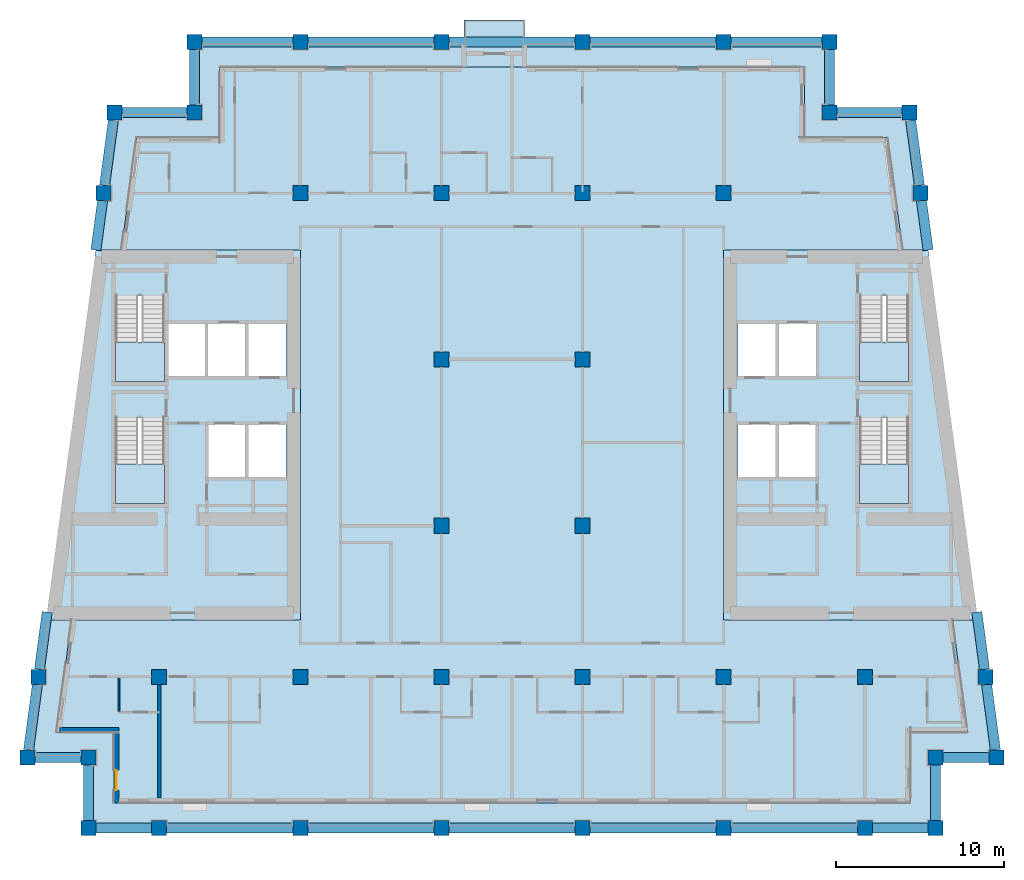
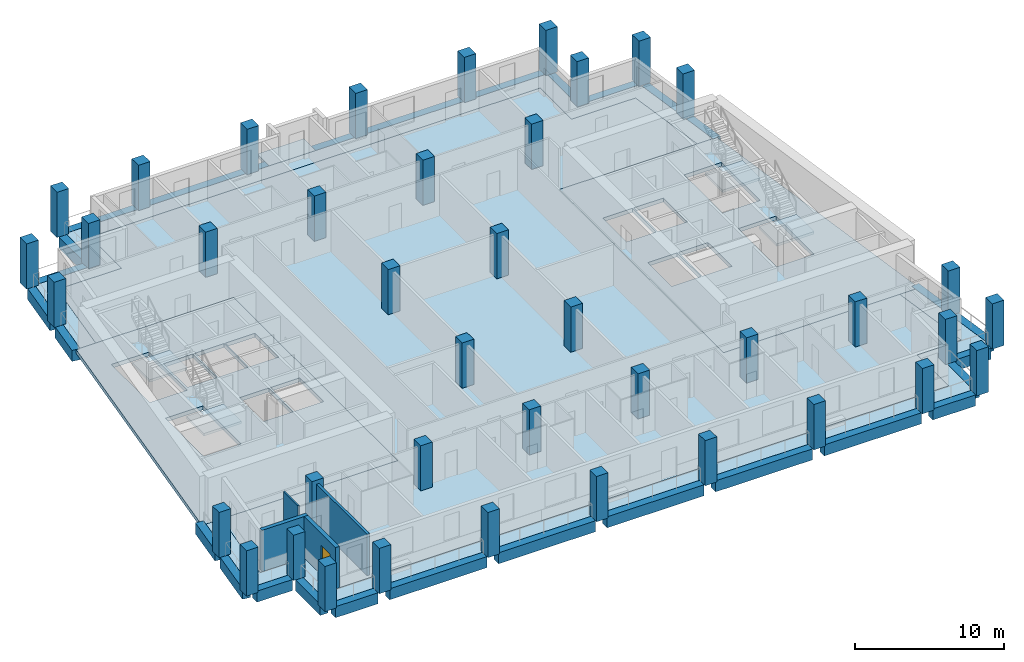
# One storey, part 1 of 12: 40 columns, 28 beams, 10 slabs, 4 walls, 1 door, 1 opening, 4 elements without a shape of their own.
"""IFC4 building model written with IfcOpenShell, lengths in metres."""

from ifc_helpers import new_model, si_unit, direction, frame, frame_2d, origin, origin_2d, place, context, subcontext, project, spatial, polyline, rectangle, outline, extrude, material, layer, layer_set, material_profile, profile_set, type_object, element, fill, aggregate, save


model = new_model("IFC4")

# Units and contexts
model_context = context("Model", 3, precision=1e-05, world=origin(), true_north=direction((0.0, 1.0)))
body_context = subcontext(model_context, "Body", "Model", "MODEL_VIEW")
ifc_project = project(units=[si_unit("LENGTHUNIT", "METRE"), si_unit("AREAUNIT", "SQUARE_METRE"), si_unit("VOLUMEUNIT", "CUBIC_METRE"), si_unit("PLANEANGLEUNIT", "RADIAN"), si_unit("MASSUNIT", "GRAM", prefix="KILO")], contexts=[model_context])

# Site, building, storey
site_placement = place(None, origin())
site = spatial("IfcSite", under=ifc_project, at=site_placement, CompositionType="ELEMENT")
building_placement = place(site_placement, origin())
building = spatial("IfcBuilding", under=site, at=building_placement, Name="Candeia Pilgrim Tower and Theatre", CompositionType="ELEMENT")
storey_placement = place(building_placement, frame((0.0, 0.0, 209.60009765625)))
storey = spatial("IfcBuildingStorey", under=building, at=storey_placement, Name="L50", CompositionType="ELEMENT", Elevation=209.60009765625)

# Columns
ifc_material_1 = material(Name="Concrete C50/60", Category="concrete")
ifc_material_profile_1 = material_profile(ifc_material_1, rectangle(XDim=0.89990234375, YDim=0.89990234375, at=origin_2d()))
ifc_profile_set_1 = profile_set([ifc_material_profile_1], Name="Concrete C50/60")
column_type = type_object("IfcColumnType", Name="RC 900x900 C50/60", PredefinedType="COLUMN", material=ifc_profile_set_1)
for number, where, z_axis, x_axis, name in (
    (1, (92.39990234375, 98.0, 0.0), (0.0, 0.0, 1.0), (1.0, 0.0, 0.0), "Column A1"),
    (2, (100.800048828125, 98.0, 0.0), (0.0, 0.0, 1.0), (1.0, 0.0, 0.0), "Column A2"),
    (3, (109.199951171875, 98.0, 0.0), (0.0, 0.0, 1.0), (1.0, 0.0, 0.0), "Column A3"),
    (4, (117.60009765625, 98.0, 0.0), (0.0, 0.0, 1.0), (1.0, 0.0, 0.0), "Column A4"),
    (5, (126.0, 98.0, 0.0), (0.0, 0.0, 1.0), (1.0, 0.0, 0.0), "Column A5"),
    (6, (134.39990234375, 98.0, 0.0), (0.0, 0.0, 1.0), (1.0, 0.0, 0.0), "Column A6"),
    (7, (88.199951171875, 98.0, 0.0), (0.0, 0.0, 1.0), (1.0, 0.0, 0.0), "Column AW"),
    (8, (138.60009765625, 98.0, 0.0), (0.0, 0.0, 1.0), (1.0, 0.0, 0.0), "Column AE"),
    (9, (88.199951171875, 102.199951171875, 0.0), (0.0, 0.0, 1.0), (1.0, 0.0, 0.0), "Column NSW"),
    (10, (138.60009765625, 102.199951171875, 0.0), (0.0, 0.0, 1.0), (1.0, 0.0, 0.0), "Column NSE"),
    (11, (94.5, 140.60009765625, 0.0), (0.0, 0.0, 1.0), (1.0, 0.0, 0.0), "Column NNW"),
    (12, (132.300048828125, 140.60009765625, 0.0), (0.0, 0.0, 1.0), (1.0, 0.0, 0.0), "Column NNE"),
    (13, (84.5654296875, 102.199951171875, 0.0), (0.0, 0.0, 1.0), (1.0, 0.0, 0.0), "Column LSW"),
    (14, (142.234619140625, 102.199951171875, 0.0), (0.0, 0.0, 1.0), (1.0, 0.0, 0.0), "Column LSE"),
    (15, (89.734619140625, 140.60009765625, 0.0), (0.0, 0.0, 1.0), (1.0, 0.0, 0.0), "Column LNW"),
    (16, (137.0654296875, 140.60009765625, 0.0), (0.0, 0.0, 1.0), (1.0, 0.0, 0.0), "Column LNE"),
    (17, (92.39990234375, 107.0, 0.0), (0.0, 0.0, 1.0), (1.0, 0.0, 0.0), "Column B1"),
    (18, (100.800048828125, 107.0, 0.0), (0.0, 0.0, 1.0), (1.0, 0.0, 0.0), "Column B2"),
    (19, (109.199951171875, 107.0, 0.0), (0.0, 0.0, 1.0), (1.0, 0.0, 0.0), "Column B3"),
    (20, (117.60009765625, 107.0, 0.0), (0.0, 0.0, 1.0), (1.0, 0.0, 0.0), "Column B4"),
    (21, (126.0, 107.0, 0.0), (0.0, 0.0, 1.0), (1.0, 0.0, 0.0), "Column B5"),
    (22, (134.39990234375, 107.0, 0.0), (0.0, 0.0, 1.0), (1.0, 0.0, 0.0), "Column B6"),
    (23, (85.21142578125, 107.0, 0.0), (0.0, 0.0, 1.0), (1.0, 0.0, 0.0), "Column BW"),
    (24, (141.58837890625, 107.0, 0.0), (0.0, 0.0, 1.0), (1.0, 0.0, 0.0), "Column BE"),
    (25, (109.199951171875, 116.0, 0.0), (0.0, 0.0, 1.0), (1.0, 0.0, 0.0), "Column C3"),
    (26, (117.60009765625, 116.0, 0.0), (0.0, 0.0, 1.0), (1.0, 0.0, 0.0), "Column C4"),
    (27, (109.199951171875, 125.89990234375, 0.0), (0.0, 0.0, 1.0), (1.0, 0.0, 0.0), "Column D3"),
    (28, (117.60009765625, 125.89990234375, 0.0), (0.0, 0.0, 1.0), (1.0, 0.0, 0.0), "Column D4"),
    (29, (100.800048828125, 135.800048828125, 0.0), (0.0, 0.0, 1.0), (1.0, 0.0, 0.0), "Column E2"),
    (30, (109.199951171875, 135.800048828125, 0.0), (0.0, 0.0, 1.0), (1.0, 0.0, 0.0), "Column E3"),
    (31, (117.60009765625, 135.800048828125, 0.0), (0.0, 0.0, 1.0), (1.0, 0.0, 0.0), "Column E4"),
    (32, (126.0, 135.800048828125, 0.0), (0.0, 0.0, 1.0), (1.0, 0.0, 0.0), "Column E5"),
    (33, (89.08837890625, 135.800048828125, 0.0), (0.0, 0.0, 1.0), (1.0, 0.0, 0.0), "Column EW"),
    (34, (137.71142578125, 135.800048828125, 0.0), (0.0, 0.0, 1.0), (1.0, 0.0, 0.0), "Column EE"),
    (35, (100.800048828125, 144.800048828125, 0.0), (0.0, 0.0, 1.0), (1.0, 0.0, 0.0), "Column F2"),
    (36, (109.199951171875, 144.800048828125, 0.0), (0.0, 0.0, 1.0), (1.0, 0.0, 0.0), "Column F3"),
    (37, (117.60009765625, 144.800048828125, 0.0), (0.0, 0.0, 1.0), (1.0, 0.0, 0.0), "Column F4"),
    (38, (126.0, 144.800048828125, 0.0), (0.0, 0.0, 1.0), (1.0, 0.0, 0.0), "Column F5"),
    (39, (94.5, 144.800048828125, 0.0), (0.0, 0.0, 1.0), (1.0, 0.0, 0.0), "Column FW"),
    (40, (132.300048828125, 144.800048828125, 0.0), (0.0, 0.0, 1.0), (1.0, 0.0, 0.0), "Column FE"),
):
    element("IfcColumn", number, at=place(storey_placement, frame(where, z_axis=z_axis, x_axis=x_axis)), inside=storey, type_object=column_type, Name=name, PredefinedType="COLUMN", context=body_context, shape_type="SweptSolid", body=[
        extrude(rectangle(XDim=0.89990234375, YDim=0.89990234375, at=origin_2d()), origin(), (0.0, 0.0, 1.0), 3.699951171875),
    ])

# Beams
ifc_material_profile_2 = material_profile(ifc_material_1, rectangle(XDim=0.60009765625, YDim=0.89990234375, at=origin_2d()))
ifc_profile_set_2 = profile_set([ifc_material_profile_2], Name="Concrete C50/60")
beam_type = type_object("IfcBeamType", Name="RC 600x900 C50/60", PredefinedType="BEAM", material=ifc_profile_set_2)
beam_1_placement = place(storey_placement, frame((88.64990234375, 98.0, -0.4501953125), z_axis=(1.0, 0.0, 0.0), x_axis=(0.0, 1.0, 0.0)))
element("IfcBeam", 41, at=beam_1_placement, inside=storey, type_object=beam_type, Name="Spandrel beam L50-01", PredefinedType="BEAM", context=body_context, shape_type="SweptSolid", body=[
    extrude(rectangle(XDim=0.60009765625, YDim=0.89990234375, at=origin_2d()), origin(), (0.0, 0.0, 1.0), 3.300048828125),
])
for number, where, z_axis, x_axis, name in (
    (42, (92.85009765625, 98.0, -0.4501953125), (1.0, 0.0, 0.0), (0.0, 1.0, 0.0), "Spandrel beam L50-02"),
    (43, (101.25, 98.0, -0.4501953125), (1.0, 0.0, 0.0), (0.0, 1.0, 0.0), "Spandrel beam L50-03"),
    (44, (109.64990234375, 98.0, -0.4501953125), (1.0, 0.0, 0.0), (0.0, 1.0, 0.0), "Spandrel beam L50-04"),
    (45, (118.050048828125, 98.0, -0.4501953125), (1.0, 0.0, 0.0), (0.0, 1.0, 0.0), "Spandrel beam L50-05"),
    (46, (126.449951171875, 98.0, -0.4501953125), (1.0, 0.0, 0.0), (0.0, 1.0, 0.0), "Spandrel beam L50-06"),
):
    element("IfcBeam", number, at=place(storey_placement, frame(where, z_axis=z_axis, x_axis=x_axis)), inside=storey, type_object=beam_type, Name=name, PredefinedType="BEAM", context=body_context, shape_type="SweptSolid", body=[
        extrude(rectangle(XDim=0.60009765625, YDim=0.89990234375, at=origin_2d()), origin(), (0.0, 0.0, 1.0), 7.5),
    ])
beam_2_placement = place(storey_placement, frame((134.85009765625, 98.0, -0.4501953125), z_axis=(1.0, 0.0, 0.0), x_axis=(0.0, 1.0, 0.0)))
element("IfcBeam", 47, at=beam_2_placement, inside=storey, type_object=beam_type, Name="Spandrel beam L50-07", PredefinedType="BEAM", context=body_context, shape_type="SweptSolid", body=[
    extrude(rectangle(XDim=0.60009765625, YDim=0.89990234375, at=origin_2d()), origin(), (0.0, 0.0, 1.0), 3.2998046875),
])
beam_3_placement = place(storey_placement, frame((138.60009765625, 98.449951171875, -0.4501953125), z_axis=(0.0, 1.0, 0.0), x_axis=(-1.0, 0.0, 0.0)))
element("IfcBeam", 48, at=beam_3_placement, inside=storey, type_object=beam_type, Name="Spandrel beam L50-08", PredefinedType="BEAM", context=body_context, shape_type="SweptSolid", body=[
    extrude(rectangle(XDim=0.60009765625, YDim=0.89990234375, at=origin_2d()), origin(), (0.0, 0.0, 1.0), 3.300048828125),
])
beam_4_placement = place(storey_placement, frame((139.050048828125, 102.199951171875, -0.4501953125), z_axis=(1.0, 0.0, 0.0), x_axis=(0.0, 1.0, 0.0)))
element("IfcBeam", 49, at=beam_4_placement, inside=storey, type_object=beam_type, Name="Spandrel beam L50-09", PredefinedType="BEAM", context=body_context, shape_type="SweptSolid", body=[
    extrude(rectangle(XDim=0.60009765625, YDim=0.89990234375, at=origin_2d()), origin(), (0.0, 0.0, 1.0), 2.734619140625),
])
beam_5_placement = place(storey_placement, frame((142.174072265625, 102.64990234375, -0.4501953125), z_axis=(-0.133443650757, 0.991056402064, 0.0), x_axis=(-0.991056402064, -0.133443650757, 0.0)))
element("IfcBeam", 50, at=beam_5_placement, inside=storey, type_object=beam_type, Name="Spandrel beam L50-10", PredefinedType="BEAM", context=body_context, shape_type="SweptSolid", body=[
    extrude(rectangle(XDim=0.60009765625, YDim=0.89990234375, at=origin_2d()), origin(), (0.0, 0.0, 1.0), 3.935302734375),
])
beam_6_placement = place(storey_placement, frame((141.52783203125, 107.449951171875, -0.4501953125), z_axis=(-0.133374411439, 0.99106572253, 0.0), x_axis=(-0.99106572253, -0.133374411439, 0.0)))
element("IfcBeam", 51, at=beam_6_placement, inside=storey, type_object=beam_type, Name="Spandrel beam L50-11", PredefinedType="BEAM", context=body_context, shape_type="SweptSolid", body=[
    extrude(rectangle(XDim=0.60009765625, YDim=0.89990234375, at=origin_2d()), origin(), (0.0, 0.0, 1.0), 3.43408203125),
])
beam_7_placement = place(storey_placement, frame((138.169189453125, 132.39990234375, -0.4501953125), z_axis=(-0.133356242983, 0.991068167412, 0.0), x_axis=(-0.991068167412, -0.133356242983, 0.0)))
element("IfcBeam", 52, at=beam_7_placement, inside=storey, type_object=beam_type, Name="Spandrel beam L50-12", PredefinedType="BEAM", context=body_context, shape_type="SweptSolid", body=[
    extrude(rectangle(XDim=0.60009765625, YDim=0.89990234375, at=origin_2d()), origin(), (0.0, 0.0, 1.0), 2.976806640625),
])
beam_8_placement = place(storey_placement, frame((137.65087890625, 136.25, -0.4501953125), z_axis=(-0.133390918184, 0.991063500965, 0.0), x_axis=(-0.991063500965, -0.133390918184, 0.0)))
element("IfcBeam", 53, at=beam_8_placement, inside=storey, type_object=beam_type, Name="Spandrel beam L50-13", PredefinedType="BEAM", context=body_context, shape_type="SweptSolid", body=[
    extrude(rectangle(XDim=0.60009765625, YDim=0.89990234375, at=origin_2d()), origin(), (0.0, 0.0, 1.0), 3.93505859375),
])
beam_9_placement = place(storey_placement, frame((136.615478515625, 140.60009765625, -0.4501953125), z_axis=(-1.0, 0.0, 0.0), x_axis=(0.0, -1.0, 0.0)))
element("IfcBeam", 54, at=beam_9_placement, inside=storey, type_object=beam_type, Name="Spandrel beam L50-14", PredefinedType="BEAM", context=body_context, shape_type="SweptSolid", body=[
    extrude(rectangle(XDim=0.60009765625, YDim=0.89990234375, at=origin_2d()), origin(), (0.0, 0.0, 1.0), 3.865478515625),
])
beam_10_placement = place(storey_placement, frame((132.300048828125, 141.050048828125, -0.4501953125), z_axis=(0.0, 1.0, 0.0), x_axis=(-1.0, 0.0, 0.0)))
element("IfcBeam", 55, at=beam_10_placement, inside=storey, type_object=beam_type, Name="Spandrel beam L50-15", PredefinedType="BEAM", context=body_context, shape_type="SweptSolid", body=[
    extrude(rectangle(XDim=0.60009765625, YDim=0.89990234375, at=origin_2d()), origin(), (0.0, 0.0, 1.0), 3.300048828125),
])
beam_11_placement = place(storey_placement, frame((131.85009765625, 144.800048828125, -0.4501953125), z_axis=(-1.0, 0.0, 0.0), x_axis=(0.0, -1.0, 0.0)))
element("IfcBeam", 56, at=beam_11_placement, inside=storey, type_object=beam_type, Name="Spandrel beam L50-16", PredefinedType="BEAM", context=body_context, shape_type="SweptSolid", body=[
    extrude(rectangle(XDim=0.60009765625, YDim=0.89990234375, at=origin_2d()), origin(), (0.0, 0.0, 1.0), 5.400146484375),
])
for number, where, z_axis, x_axis, name in (
    (57, (125.550048828125, 144.800048828125, -0.4501953125), (-1.0, 0.0, 0.0), (0.0, -1.0, 0.0), "Spandrel beam L50-17"),
    (58, (117.14990234375, 144.800048828125, -0.4501953125), (-1.0, 0.0, 0.0), (0.0, -1.0, 0.0), "Spandrel beam L50-18"),
    (59, (108.75, 144.800048828125, -0.4501953125), (-1.0, 0.0, 0.0), (0.0, -1.0, 0.0), "Spandrel beam L50-19"),
):
    element("IfcBeam", number, at=place(storey_placement, frame(where, z_axis=z_axis, x_axis=x_axis)), inside=storey, type_object=beam_type, Name=name, PredefinedType="BEAM", context=body_context, shape_type="SweptSolid", body=[
        extrude(rectangle(XDim=0.60009765625, YDim=0.89990234375, at=origin_2d()), origin(), (0.0, 0.0, 1.0), 7.5),
    ])
beam_12_placement = place(storey_placement, frame((100.35009765625, 144.800048828125, -0.4501953125), z_axis=(-1.0, 0.0, 0.0), x_axis=(0.0, -1.0, 0.0)))
element("IfcBeam", 60, at=beam_12_placement, inside=storey, type_object=beam_type, Name="Spandrel beam L50-20", PredefinedType="BEAM", context=body_context, shape_type="SweptSolid", body=[
    extrude(rectangle(XDim=0.60009765625, YDim=0.89990234375, at=origin_2d()), origin(), (0.0, 0.0, 1.0), 5.400146484375),
])
beam_13_placement = place(storey_placement, frame((94.5, 144.35009765625, -0.4501953125), z_axis=(0.0, -1.0, 0.0), x_axis=(1.0, 0.0, 0.0)))
element("IfcBeam", 61, at=beam_13_placement, inside=storey, type_object=beam_type, Name="Spandrel beam L50-21", PredefinedType="BEAM", context=body_context, shape_type="SweptSolid", body=[
    extrude(rectangle(XDim=0.60009765625, YDim=0.89990234375, at=origin_2d()), origin(), (0.0, 0.0, 1.0), 3.300048828125),
])
beam_14_placement = place(storey_placement, frame((94.050048828125, 140.60009765625, -0.4501953125), z_axis=(-1.0, 0.0, 0.0), x_axis=(0.0, -1.0, 0.0)))
element("IfcBeam", 62, at=beam_14_placement, inside=storey, type_object=beam_type, Name="Spandrel beam L50-22", PredefinedType="BEAM", context=body_context, shape_type="SweptSolid", body=[
    extrude(rectangle(XDim=0.60009765625, YDim=0.89990234375, at=origin_2d()), origin(), (0.0, 0.0, 1.0), 3.865478515625),
])
beam_15_placement = place(storey_placement, frame((89.674072265625, 140.14990234375, -0.4501953125), z_axis=(-0.133451855788, -0.99105529724, 0.0), x_axis=(0.99105529724, -0.133451855788, 0.0)))
element("IfcBeam", 63, at=beam_15_placement, inside=storey, type_object=beam_type, Name="Spandrel beam L50-23", PredefinedType="BEAM", context=body_context, shape_type="SweptSolid", body=[
    extrude(rectangle(XDim=0.60009765625, YDim=0.89990234375, at=origin_2d()), origin(), (0.0, 0.0, 1.0), 3.93505859375),
])
beam_16_placement = place(storey_placement, frame((89.02783203125, 135.35009765625, -0.4501953125), z_axis=(-0.133356242983, -0.991068167412, 0.0), x_axis=(0.991068167412, -0.133356242983, 0.0)))
element("IfcBeam", 64, at=beam_16_placement, inside=storey, type_object=beam_type, Name="Spandrel beam L50-24", PredefinedType="BEAM", context=body_context, shape_type="SweptSolid", body=[
    extrude(rectangle(XDim=0.60009765625, YDim=0.89990234375, at=origin_2d()), origin(), (0.0, 0.0, 1.0), 2.976806640625),
])
beam_17_placement = place(storey_placement, frame((85.730224609375, 110.853271484375, -0.4501953125), z_axis=(-0.133374411439, -0.99106572253, 0.0), x_axis=(0.99106572253, -0.133374411439, 0.0)))
element("IfcBeam", 65, at=beam_17_placement, inside=storey, type_object=beam_type, Name="Spandrel beam L50-25", PredefinedType="BEAM", context=body_context, shape_type="SweptSolid", body=[
    extrude(rectangle(XDim=0.60009765625, YDim=0.89990234375, at=origin_2d()), origin(), (0.0, 0.0, 1.0), 3.43408203125),
])
beam_18_placement = place(storey_placement, frame((85.15087890625, 106.550048828125, -0.4501953125), z_axis=(-0.133382716764, -0.991064604791, 0.0), x_axis=(0.991064604791, -0.133382716764, 0.0)))
element("IfcBeam", 66, at=beam_18_placement, inside=storey, type_object=beam_type, Name="Spandrel beam L50-26", PredefinedType="BEAM", context=body_context, shape_type="SweptSolid", body=[
    extrude(rectangle(XDim=0.60009765625, YDim=0.89990234375, at=origin_2d()), origin(), (0.0, 0.0, 1.0), 3.935302734375),
])
beam_19_placement = place(storey_placement, frame((85.015380859375, 102.199951171875, -0.4501953125), z_axis=(1.0, 0.0, 0.0), x_axis=(0.0, 1.0, 0.0)))
element("IfcBeam", 67, at=beam_19_placement, inside=storey, type_object=beam_type, Name="Spandrel beam L50-27", PredefinedType="BEAM", context=body_context, shape_type="SweptSolid", body=[
    extrude(rectangle(XDim=0.60009765625, YDim=0.89990234375, at=origin_2d()), origin(), (0.0, 0.0, 1.0), 2.734619140625),
])
beam_20_placement = place(storey_placement, frame((88.199951171875, 101.75, -0.4501953125), z_axis=(0.0, -1.0, 0.0), x_axis=(1.0, 0.0, 0.0)))
element("IfcBeam", 68, at=beam_20_placement, inside=storey, type_object=beam_type, Name="Spandrel beam L50-28", PredefinedType="BEAM", context=body_context, shape_type="SweptSolid", body=[
    extrude(rectangle(XDim=0.60009765625, YDim=0.89990234375, at=origin_2d()), origin(), (0.0, 0.0, 1.0), 3.300048828125),
])

# Slabs
ifc_material_2 = material(Name="Concrete C40/50", Category="concrete")
ifc_layer_1 = layer(ifc_material_2, 0.25)
ifc_layer_set_1 = layer_set([ifc_layer_1], Name="BK1 balcony slab 250")
slab_type_1 = type_object("IfcSlabType", Name="BK1 balcony slab 250", PredefinedType="USERDEFINED", material=ifc_layer_set_1)
slab_1_placement = place(storey_placement, frame((0.0, 0.0, -0.25)))
element("IfcSlab", 69, at=slab_1_placement, inside=storey, type_object=slab_type_1, Name="Balcony L50", ObjectType="BALCONY", PredefinedType="USERDEFINED", context=body_context, shape_type="SweptSolid", body=[
    extrude(outline(polyline([(110.550048828125, 144.5), (114.14990234375, 144.5), (114.14990234375, 146.10009765625), (110.550048828125, 146.10009765625), (110.550048828125, 144.5)])), origin(), (0.0, 0.0, 1.0), 0.25),
])
ifc_material_3 = material(Name="Concrete C60/75", Category="concrete")
ifc_layer_2 = layer(ifc_material_3, 0.320068359375)
ifc_layer_set_2 = layer_set([ifc_layer_2], Name="FS-CORE 320 core floor")
slab_type_2 = type_object("IfcSlabType", Name="FS-CORE 320 core floor", PredefinedType="FLOOR", material=ifc_layer_set_2)
slab_2_placement = place(storey_placement, frame((0.0, 0.0, -0.320068359375)))
element("IfcSlab", 70, at=slab_2_placement, inside=storey, type_object=slab_type_2, Name="Core floor W L50", PredefinedType="FLOOR", context=body_context, shape_type="SweptSolid", body=[
    extrude(outline(polyline([(100.800048828125, 132.39990234375), (100.800048828125, 110.39990234375), (85.669189453125, 110.39990234375), (88.630859375, 132.39990234375), (100.800048828125, 132.39990234375)]), holes=[polyline([(97.658935546875, 128.050048828125), (97.658935546875, 124.85009765625), (99.949951171875, 124.85009765625), (99.949951171875, 128.050048828125), (97.658935546875, 128.050048828125)]), polyline([(97.66357421875, 122.050048828125), (97.66357421875, 118.85009765625), (99.949951171875, 118.85009765625), (99.949951171875, 122.050048828125), (97.66357421875, 122.050048828125)]), polyline([(95.277099609375, 122.050048828125), (95.277099609375, 118.85009765625), (97.5634765625, 118.85009765625), (97.5634765625, 122.050048828125), (95.277099609375, 122.050048828125)]), polyline([(95.26806640625, 128.050048828125), (95.26806640625, 124.85009765625), (97.55908203125, 124.85009765625), (97.55908203125, 128.050048828125), (95.26806640625, 128.050048828125)]), polyline([(92.876953125, 128.050048828125), (92.876953125, 124.85009765625), (95.16796875, 124.85009765625), (95.16796875, 128.050048828125), (92.876953125, 128.050048828125)]), polyline([(89.802001953125, 117.324951171875), (92.701904296875, 117.324951171875), (92.701904296875, 122.455078125), (89.802001953125, 122.455078125), (89.802001953125, 117.324951171875)]), polyline([(89.802001953125, 129.705078125), (89.802001953125, 124.574951171875), (92.701904296875, 124.574951171875), (92.701904296875, 129.705078125), (89.802001953125, 129.705078125)])]), origin(), (0.0, 0.0, 1.0), 0.320068359375),
])
slab_3_placement = place(storey_placement, frame((0.0, 0.0, -0.320068359375)))
element("IfcSlab", 71, at=slab_3_placement, inside=storey, type_object=slab_type_2, Name="Core floor E L50", PredefinedType="FLOOR", context=body_context, shape_type="SweptSolid", body=[
    extrude(outline(polyline([(138.169189453125, 132.39990234375), (141.130859375, 110.39990234375), (126.0, 110.39990234375), (126.0, 132.39990234375), (138.169189453125, 132.39990234375)]), holes=[polyline([(134.097900390625, 117.324951171875), (136.998046875, 117.324951171875), (136.998046875, 122.455078125), (134.097900390625, 122.455078125), (134.097900390625, 117.324951171875)]), polyline([(134.097900390625, 129.705078125), (134.097900390625, 124.574951171875), (136.998046875, 124.574951171875), (136.998046875, 129.705078125), (134.097900390625, 129.705078125)]), polyline([(131.531982421875, 128.050048828125), (129.240966796875, 128.050048828125), (129.240966796875, 124.85009765625), (131.531982421875, 124.85009765625), (131.531982421875, 128.050048828125)]), polyline([(131.52294921875, 122.050048828125), (129.236572265625, 122.050048828125), (129.236572265625, 118.85009765625), (131.52294921875, 118.85009765625), (131.52294921875, 122.050048828125)]), polyline([(126.85009765625, 128.050048828125), (126.85009765625, 124.85009765625), (129.14111328125, 124.85009765625), (129.14111328125, 128.050048828125), (126.85009765625, 128.050048828125)]), polyline([(129.136474609375, 122.050048828125), (126.85009765625, 122.050048828125), (126.85009765625, 118.85009765625), (129.136474609375, 118.85009765625), (129.136474609375, 122.050048828125)])]), origin(), (0.0, 0.0, 1.0), 0.320068359375),
])
ifc_layer_3 = layer(ifc_material_1, 0.320068359375)
ifc_layer_set_3 = layer_set([ifc_layer_3], Name="Floor slab 320 C50/60")
slab_type_3 = type_object("IfcSlabType", Name="Floor slab 320 C50/60", PredefinedType="FLOOR", material=ifc_layer_set_3)
slab_4_placement = place(storey_placement, frame((0.0, 0.0, -0.320068359375)))
element("IfcSlab", 72, at=slab_4_placement, inside=storey, type_object=slab_type_3, Name="Floor slab L50", PredefinedType="FLOOR", context=body_context, shape_type="SweptSolid", body=[
    extrude(outline(polyline([(96.0, 139.10009765625), (96.0, 143.300048828125), (130.800048828125, 143.300048828125), (130.800048828125, 139.10009765625), (135.753662109375, 139.10009765625), (136.65576171875, 132.39990234375), (126.0, 132.39990234375), (126.0, 110.39990234375), (139.6171875, 110.39990234375), (140.51904296875, 103.699951171875), (137.10009765625, 103.699951171875), (137.10009765625, 99.5), (89.699951171875, 99.5), (89.699951171875, 103.699951171875), (86.28076171875, 103.699951171875), (87.182861328125, 110.39990234375), (100.800048828125, 110.39990234375), (100.800048828125, 132.39990234375), (90.144287109375, 132.39990234375), (91.046142578125, 139.10009765625), (96.0, 139.10009765625)])), origin(), (0.0, 0.0, 1.0), 0.320068359375),
])
ifc_layer_4 = layer(ifc_material_2, 0.25)
ifc_layer_set_4 = layer_set([ifc_layer_4], Name="Loggia slab 250 C40/50")
slab_type_4 = type_object("IfcSlabType", Name="Loggia slab 250 C40/50", PredefinedType="FLOOR", material=ifc_layer_set_4)
slab_5_placement = place(storey_placement, frame((0.0, 0.0, -0.25)))
element("IfcSlab", 73, at=slab_5_placement, inside=storey, type_object=slab_type_4, Name="Loggia slab L50 1", PredefinedType="FLOOR", context=body_context, shape_type="SweptSolid", body=[
    extrude(outline(polyline([(87.182861328125, 110.39990234375), (86.28076171875, 103.699951171875), (89.699951171875, 103.699951171875), (89.699951171875, 99.5), (137.10009765625, 99.5), (137.10009765625, 103.699951171875), (140.51904296875, 103.699951171875), (139.6171875, 110.39990234375), (140.828125, 110.39990234375), (141.8916015625, 102.5), (138.300048828125, 102.5), (138.300048828125, 98.300048828125), (88.5, 98.300048828125), (88.5, 102.5), (84.908447265625, 102.5), (85.971923828125, 110.39990234375), (87.182861328125, 110.39990234375)])), origin(), (0.0, 0.0, 1.0), 0.25),
])
slab_6_placement = place(storey_placement, frame((0.0, 0.0, -0.25)))
element("IfcSlab", 74, at=slab_6_placement, inside=storey, type_object=slab_type_4, Name="Loggia slab L50 2", PredefinedType="FLOOR", context=body_context, shape_type="SweptSolid", body=[
    extrude(outline(polyline([(136.65576171875, 132.39990234375), (135.753662109375, 139.10009765625), (130.800048828125, 139.10009765625), (130.800048828125, 143.300048828125), (96.0, 143.300048828125), (96.0, 139.10009765625), (91.046142578125, 139.10009765625), (90.144287109375, 132.39990234375), (88.93359375, 132.39990234375), (89.996826171875, 140.300048828125), (94.800048828125, 140.300048828125), (94.800048828125, 144.5), (132.0, 144.5), (132.0, 140.300048828125), (136.802978515625, 140.300048828125), (137.866455078125, 132.39990234375), (136.65576171875, 132.39990234375)])), origin(), (0.0, 0.0, 1.0), 0.25),
])

# Stair, slab
stair_type = type_object("IfcStairType", Name="ST-TWR dog-leg escape stair", PredefinedType="HALF_TURN_STAIR", material=ifc_material_2)
stair_1_placement = place(storey_placement, origin())
stair_1 = element("IfcStair", 75, at=stair_1_placement, inside=storey, type_object=stair_type, Name="L50 Escape stair ST1", PredefinedType="HALF_TURN_STAIR")
ifc_layer_5 = layer(ifc_material_2, 0.199951171875)
ifc_layer_set_5 = layer_set([ifc_layer_5], Name="SL-LANDING stair landing")
slab_type_5 = type_object("IfcSlabType", Name="SL-LANDING stair landing", PredefinedType="LANDING", material=ifc_layer_set_5)
slab_7_placement = place(storey_placement, frame((0.0, 0.0, 1.64990234375)))
slab_7 = element("IfcSlab", 76, at=slab_7_placement, type_object=slab_type_5, Name="ST1 landing 1", PredefinedType="LANDING", context=body_context, shape_type="SweptSolid", body=[
    extrude(outline(polyline([(89.802001953125, 119.675048828125), (89.802001953125, 117.324951171875), (92.701904296875, 117.324951171875), (92.701904296875, 119.675048828125), (89.802001953125, 119.675048828125)])), origin(), (0.0, 0.0, 1.0), 0.199951171875),
])
aggregate(stair_1, [slab_7])

stair_2_placement = place(storey_placement, origin())
stair_2 = element("IfcStair", 77, at=stair_2_placement, inside=storey, type_object=stair_type, Name="L50 Escape stair ST2", PredefinedType="HALF_TURN_STAIR")
slab_8_placement = place(storey_placement, frame((0.0, 0.0, 1.64990234375)))
slab_8 = element("IfcSlab", 78, at=slab_8_placement, type_object=slab_type_5, Name="ST2 landing 1", PredefinedType="LANDING", context=body_context, shape_type="SweptSolid", body=[
    extrude(outline(polyline([(89.802001953125, 126.925048828125), (89.802001953125, 124.574951171875), (92.701904296875, 124.574951171875), (92.701904296875, 126.925048828125), (89.802001953125, 126.925048828125)])), origin(), (0.0, 0.0, 1.0), 0.199951171875),
])
aggregate(stair_2, [slab_8])

stair_3_placement = place(storey_placement, origin())
stair_3 = element("IfcStair", 79, at=stair_3_placement, inside=storey, type_object=stair_type, Name="L50 Escape stair ST3", PredefinedType="HALF_TURN_STAIR")
slab_9_placement = place(storey_placement, frame((0.0, 0.0, 1.64990234375)))
slab_9 = element("IfcSlab", 80, at=slab_9_placement, type_object=slab_type_5, Name="ST3 landing 1", PredefinedType="LANDING", context=body_context, shape_type="SweptSolid", body=[
    extrude(outline(polyline([(134.097900390625, 119.675048828125), (134.097900390625, 117.324951171875), (136.998046875, 117.324951171875), (136.998046875, 119.675048828125), (134.097900390625, 119.675048828125)])), origin(), (0.0, 0.0, 1.0), 0.199951171875),
])
aggregate(stair_3, [slab_9])

stair_4_placement = place(storey_placement, origin())
stair_4 = element("IfcStair", 81, at=stair_4_placement, inside=storey, type_object=stair_type, Name="L50 Escape stair ST4", PredefinedType="HALF_TURN_STAIR")
slab_10_placement = place(storey_placement, frame((0.0, 0.0, 1.64990234375)))
slab_10 = element("IfcSlab", 82, at=slab_10_placement, type_object=slab_type_5, Name="ST4 landing 1", PredefinedType="LANDING", context=body_context, shape_type="SweptSolid", body=[
    extrude(outline(polyline([(134.097900390625, 126.925048828125), (134.097900390625, 124.574951171875), (136.998046875, 124.574951171875), (136.998046875, 126.925048828125), (134.097900390625, 126.925048828125)])), origin(), (0.0, 0.0, 1.0), 0.199951171875),
])
aggregate(stair_4, [slab_10])

# Wall
ifc_material_4 = material(Name="Ceramic block masonry", Category="masonry")
ifc_layer_6 = layer(ifc_material_4, 0.300048828125)
ifc_layer_set_6 = layer_set([ifc_layer_6], Name="EW1 glazing-line wall 300")
wall_type_1 = type_object("IfcWallType", Name="EW1 glazing-line wall 300", PredefinedType="SOLIDWALL", material=ifc_layer_set_6)
wall_1_placement = place(storey_placement, frame((86.452392578125, 103.85009765625, 0.0), z_axis=(0.0, 0.0, 1.0), x_axis=(1.0, 0.0, 0.0)))
element("IfcWall", 83, at=wall_1_placement, inside=storey, type_object=wall_type_1, Name="External wall L50-10.0", PredefinedType="SOLIDWALL", context=body_context, shape_type="SweptSolid", body=[
    extrude(rectangle(XDim=3.547607421875, YDim=0.300048828125, at=frame_2d((1.77392578125, 0.0))), origin(), (0.0, 0.0, 1.0), 3.3798828125),
])

# Wall, opening, door
wall_2_placement = place(storey_placement, frame((89.85009765625, 103.85009765625, 0.0), z_axis=(0.0, 0.0, 1.0), x_axis=(0.0, -1.0, 0.0)))
wall_2 = element("IfcWall", 84, at=wall_2_placement, inside=storey, type_object=wall_type_1, Name="External wall L50-11.0", PredefinedType="SOLIDWALL", context=body_context, shape_type="SweptSolid", body=[
    extrude(rectangle(XDim=4.35009765625, YDim=0.300048828125, at=frame_2d((2.175048828125, 0.0))), origin(), (0.0, 0.0, 1.0), 3.3798828125),
])
opening_placement = place(wall_2_placement, frame((2.39990234375, 0.0, 0.0)))
opening = element("IfcOpeningElement", 85, at=opening_placement, cuts=wall_2, Name="Opening L50-ED482", PredefinedType="OPENING", context=body_context, shape_type="SweptSolid", body=[
    extrude(rectangle(XDim=1.199951171875, YDim=2.39990234375, at=frame_2d((0.60009765625, 1.199951171875))), frame((0.0, 0.16015625, 0.0), z_axis=(0.0, -1.0, 0.0), x_axis=(1.0, 0.0, 0.0)), (0.0, 0.0, 1.0), 0.320068359375),
])
ifc_material_5 = material(Name="Aluminium framed glazed door", Category="aluminium")
door_type = type_object("IfcDoorType", Name="Loggia door 1200x2400", OperationType="DOUBLE_DOOR_SINGLE_SWING", PredefinedType="DOOR", material=ifc_material_5)
door_placement = place(opening_placement, origin())
door = element("IfcDoor", 86, at=door_placement, inside=storey, type_object=door_type, Name="Loggia door L50-ED482", OperationType="DOUBLE_DOOR_SINGLE_SWING", OverallHeight=2.39990234375, OverallWidth=1.199951171875, PredefinedType="DOOR", context=body_context, shape_type="SweptSolid", body=[
    extrude(rectangle(XDim=1.199951171875, YDim=2.39990234375, at=frame_2d((0.60009765625, 1.199951171875))), frame((0.0, 0.02490234375, 0.0), z_axis=(0.0, -1.0, 0.0), x_axis=(1.0, 0.0, 0.0)), (0.0, 0.0, 1.0), 0.050048828125),
])
fill(opening, door)

# Walls
ifc_material_6 = material(Name="Gypsum board partition on steel studs", Category="steel")
ifc_layer_7 = layer(ifc_material_6, 0.10009765625)
ifc_layer_set_7 = layer_set([ifc_layer_7], Name="PW-100 room partition")
wall_type_2 = type_object("IfcWallType", Name="PW-100 room partition", PredefinedType="PARTITIONING", material=ifc_layer_set_7)
wall_3_placement = place(storey_placement, frame((90.0, 104.949951171875, 0.0), z_axis=(0.0, 0.0, 1.0), x_axis=(0.0, 1.0, 0.0)))
element("IfcWall", 87, at=wall_3_placement, inside=storey, type_object=wall_type_2, Name="Room partition L50-053", PredefinedType="PARTITIONING", context=body_context, shape_type="SweptSolid", body=[
    extrude(rectangle(XDim=1.97509765625, YDim=0.10009765625, at=frame_2d((0.987548828125, 0.0))), origin(), (0.0, 0.0, 1.0), 3.3798828125),
])
ifc_layer_8 = layer(ifc_material_6, 0.199951171875)
ifc_layer_set_8 = layer_set([ifc_layer_8], Name="PW-200 party wall")
wall_type_3 = type_object("IfcWallType", Name="PW-200 party wall", PredefinedType="PARTITIONING", material=ifc_layer_set_8)
wall_4_placement = place(storey_placement, frame((92.39990234375, 99.7900390625, 0.0), z_axis=(0.0, 0.0, 1.0), x_axis=(0.0, 1.0, 0.0)))
element("IfcWall", 88, at=wall_4_placement, inside=storey, type_object=wall_type_3, Name="Party wall L50-054", PredefinedType="PARTITIONING", context=body_context, shape_type="SweptSolid", body=[
    extrude(rectangle(XDim=7.135009765625, YDim=0.199951171875, at=frame_2d((3.5673828125, 0.0))), origin(), (0.0, 0.0, 1.0), 3.3798828125),
])

save(model, "model.ifc")
